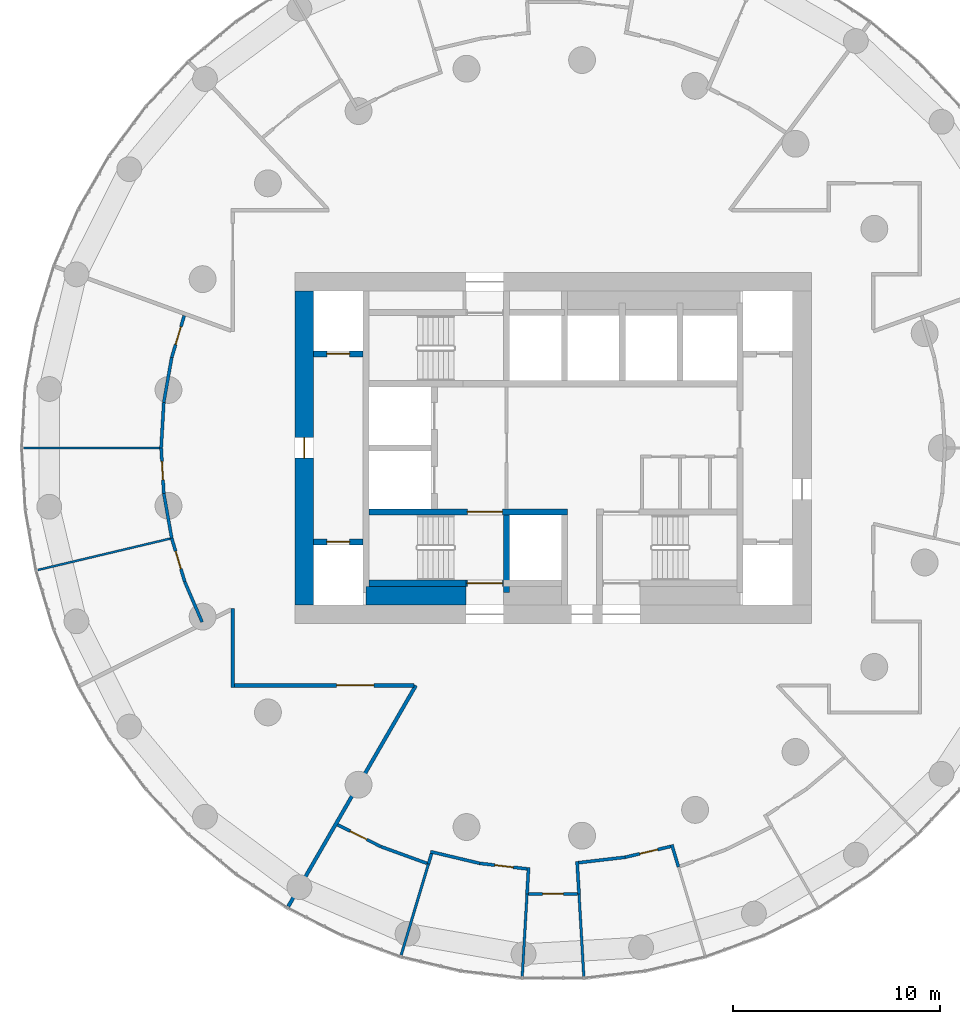
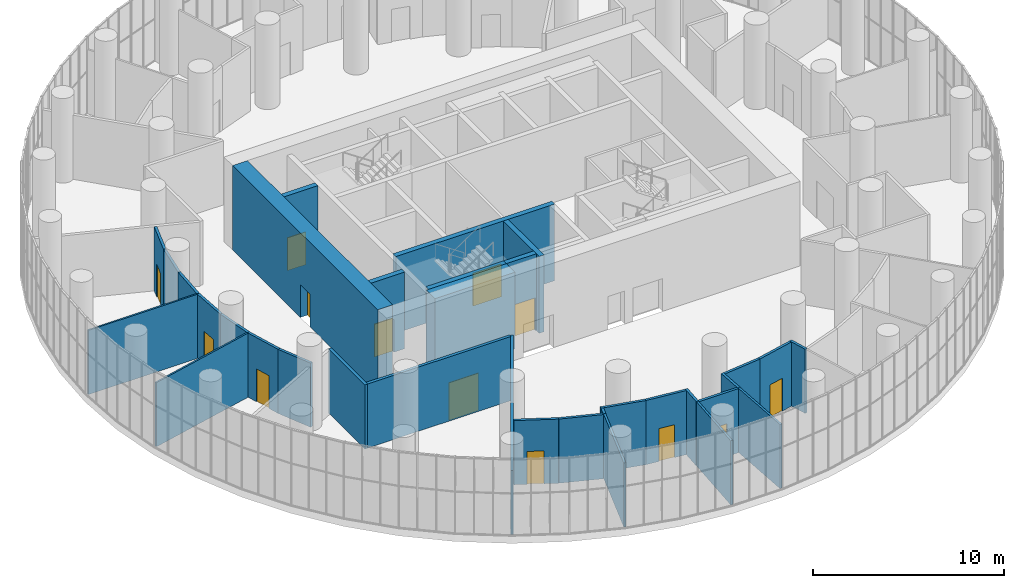
# One storey, part 16 of 21: 34 walls, 13 doors, 13 openings.
"""IFC4 building model written with IfcOpenShell, lengths in metres."""

import ifcopenshell
import ifcopenshell.guid

model = None  # the IFC model being written
_history = None  # IfcOwnerHistory: only IFC2X3 demands one
_inside = {}  # id of a spatial element -> (the spatial element, [elements in it])
_under = {}  # id of a project, library or spatial element -> (it, [spatial elements below it])
_declared = {}  # id of a project -> (the project, [libraries it declares])
_typed = {}  # id of a type object -> (the type object, [elements of that type])
_made_of = {}  # id of a material, layer set ... -> (it, [elements and type objects made of it])


def new_model(schema):
    """Start an empty IFC model of exactly this schema.

    Asked for "IFC4X3", IfcOpenShell would pick the latest addendum, in which some entities
    have other attributes; the version numbers below select the first issue.
    IFC2X3 requires an IfcOwnerHistory on every rooted entity: one is made here for all.
    """
    global model, _history
    if schema == "IFC4X3":
        model = ifcopenshell.file(schema_version=(4, 3, 0, 0))
    else:
        model = ifcopenshell.file(schema=schema)
    _inside.clear()
    _under.clear()
    _declared.clear()
    _typed.clear()
    _made_of.clear()
    _history = None
    if model.schema == "IFC2X3":
        org = make("IfcOrganization", Name="unknown")
        user = make(
            "IfcPersonAndOrganization",
            ThePerson=make("IfcPerson", FamilyName="unknown"),
            TheOrganization=org,
        )
        app = make(
            "IfcApplication",
            ApplicationDeveloper=org,
            Version="unknown",
            ApplicationFullName="unknown",
            ApplicationIdentifier="unknown",
        )
        _history = make(
            "IfcOwnerHistory",
            OwningUser=user,
            OwningApplication=app,
            ChangeAction="ADDED",
            CreationDate=0,
        )
    return model


def make(cls, **values):
    """One entity of the class cls with the attributes given. An attribute that is None is left unset."""
    return model.create_entity(
        cls, **{name: value for name, value in values.items() if value is not None}
    )


def rooted(cls, **values):
    """An entity with a GlobalId (a new one), such as an element, a storey or a relation."""
    return make(cls, GlobalId=ifcopenshell.guid.new(), OwnerHistory=_history, **values)


def si_unit(unit_type, name, prefix=None):
    """IfcSIUnit, for example si_unit("LENGTHUNIT", "METRE", prefix="MILLI")."""
    return make("IfcSIUnit", UnitType=unit_type, Prefix=prefix, Name=name)


def assignment(units):
    """IfcUnitAssignment: the units of a project."""
    return None if units is None else make("IfcUnitAssignment", Units=units)


def point(xyz):
    """IfcCartesianPoint."""
    return None if xyz is None else make("IfcCartesianPoint", Coordinates=xyz)


def direction(xyz):
    """IfcDirection."""
    return None if xyz is None else make("IfcDirection", DirectionRatios=xyz)


def frame(location, z_axis=None, x_axis=None):
    """IfcAxis2Placement3D, a coordinate frame: its origin and axes. An axis left out is left unset."""
    return make(
        "IfcAxis2Placement3D",
        Location=point(location),
        Axis=direction(z_axis),
        RefDirection=direction(x_axis),
    )


def frame_2d(location, x_axis=None):
    """IfcAxis2Placement2D, a coordinate frame in the plane: its origin and x axis."""
    return make(
        "IfcAxis2Placement2D", Location=point(location), RefDirection=direction(x_axis)
    )


def origin():
    """The frame at (0, 0, 0) with its axes left unset."""
    return frame((0.0, 0.0, 0.0))


def place(relative_to, where):
    """IfcLocalPlacement: puts the frame where relative to a parent placement (None: the world)."""
    return make(
        "IfcLocalPlacement", PlacementRelTo=relative_to, RelativePlacement=where
    )


def context(
    kind, dimensions, precision=None, world=None, true_north=None, identifier=None
):
    """IfcGeometricRepresentationContext, for example the 3D "Model" context."""
    return make(
        "IfcGeometricRepresentationContext",
        ContextIdentifier=identifier,
        ContextType=kind,
        CoordinateSpaceDimension=dimensions,
        Precision=precision,
        WorldCoordinateSystem=world,
        TrueNorth=true_north,
    )


def subcontext(parent, identifier, kind, view, scale=None):
    """IfcGeometricRepresentationSubContext, for example "Body" below "Model"."""
    return make(
        "IfcGeometricRepresentationSubContext",
        ContextIdentifier=identifier,
        ContextType=kind,
        ParentContext=parent,
        TargetScale=scale,
        TargetView=view,
    )


def project(units=None, contexts=None):
    """IfcProject with its units and contexts."""
    return rooted(
        "IfcProject",
        Name="project",
        RepresentationContexts=contexts,
        UnitsInContext=assignment(units),
    )


def spatial(cls, under=None, at=None, **own):
    """A site, building, storey or space (cls), placed at a placement, below another one or the project."""
    s = rooted(cls, ObjectPlacement=at, **own)
    if under is not None:
        _under.setdefault(under.id(), (under, []))[1].append(s)
    return s


def profile(cls, at=None, kind="AREA", **sizes):
    """A parametric profile (cls). Its sizes go by their IFC names, for example OverallWidth=200.0."""
    return make(cls, ProfileType=kind, Position=at, **sizes)


def rectangle(**sizes):
    """IfcRectangleProfileDef."""
    return profile("IfcRectangleProfileDef", **sizes)


def extrude(swept, where, along, depth):
    """IfcExtrudedAreaSolid: the profile swept, set in the frame where, extruded along a direction by depth."""
    return make(
        "IfcExtrudedAreaSolid",
        SweptArea=swept,
        Position=where,
        ExtrudedDirection=direction(along),
        Depth=depth,
    )


def shape(context_of_items, identifier, shape_type, items):
    """IfcShapeRepresentation: the items that make up one representation, for example the "Body"."""
    return make(
        "IfcShapeRepresentation",
        ContextOfItems=context_of_items,
        RepresentationIdentifier=identifier,
        RepresentationType=shape_type,
        Items=items,
    )


def material(Name=None, Category=None):
    """IfcMaterial."""
    return make("IfcMaterial", Name=Name, Category=Category)


def layer(
    of_material, thickness, ventilated=None, Name=None, Category=None, Priority=None
):
    """IfcMaterialLayer: one layer of a wall or slab, of a material (None: an air gap)."""
    return make(
        "IfcMaterialLayer",
        Material=of_material,
        LayerThickness=thickness,
        IsVentilated=ventilated,
        Name=Name,
        Category=Category,
        Priority=Priority,
    )


def layer_set(layers, Name=None):
    """IfcMaterialLayerSet."""
    return make("IfcMaterialLayerSet", MaterialLayers=layers, LayerSetName=Name)


def made_of(thing, what):
    """Note that an element or type object is made of a material, layer set ...; save() writes the relation."""
    if what is not None:
        _made_of.setdefault(what.id(), (what, []))[1].append(thing)
    return thing


def type_object(cls, material=None, **own):
    """A type object (cls), such as IfcWallType, which elements share."""
    return made_of(rooted(cls, **own), material)


def element(
    cls,
    number,
    at=None,
    inside=None,
    cuts=None,
    type_object=None,
    material=None,
    context=None,
    identifier="Body",
    shape_type=None,
    held_by="IfcProductDefinitionShape",
    body=None,
    shapes=None,
    **own,
):
    """One element of the class cls, such as IfcWall. Its Tag is "e" and its number.

    at: its placement. inside: the storey or other place that contains it. cuts: it is an
    opening in that element (IfcRelVoidsElement). A single representation is given by context,
    identifier, shape_type and body (its items); several are given by shapes. held_by: the class
    of the entity that holds the representations. save() writes the other relations.
    """
    e = rooted(cls, Tag="e%d" % number, ObjectPlacement=at, **own)
    if body is not None:
        shapes = [shape(context, identifier, shape_type, body)]
    if shapes is not None:
        e.Representation = make(held_by, Representations=shapes)
    if inside is not None:
        _inside.setdefault(inside.id(), (inside, []))[1].append(e)
    if cuts is not None:
        rooted(
            "IfcRelVoidsElement", RelatingBuildingElement=cuts, RelatedOpeningElement=e
        )
    if type_object is not None:
        _typed.setdefault(type_object.id(), (type_object, []))[1].append(e)
    return made_of(e, material)


def fill(opening, filler):
    """IfcRelFillsElement: the door or window that sits in an opening."""
    return rooted(
        "IfcRelFillsElement",
        RelatingOpeningElement=opening,
        RelatedBuildingElement=filler,
    )


def aggregate(whole, parts):
    """IfcRelAggregates: a whole, such as a stair, and the parts it consists of."""
    return rooted("IfcRelAggregates", RelatingObject=whole, RelatedObjects=parts)


def save(model, path):
    """Write the relations noted so far, then the file.

    IfcRelAggregates (storeys below a building ...), IfcRelContainedInSpatialStructure (elements
    in a storey), IfcRelDefinesByType, IfcRelAssociatesMaterial and IfcRelDeclares: one each for
    every whole, place, type object, material and project.
    """
    for whole, parts in _under.values():
        aggregate(whole, parts)
    for where, things in _inside.values():
        rooted(
            "IfcRelContainedInSpatialStructure",
            RelatedElements=things,
            RelatingStructure=where,
        )
    for kind, things in _typed.values():
        rooted("IfcRelDefinesByType", RelatedObjects=things, RelatingType=kind)
    for what, things in _made_of.values():
        rooted("IfcRelAssociatesMaterial", RelatedObjects=things, RelatingMaterial=what)
    for by, libraries in _declared.values():
        rooted("IfcRelDeclares", RelatingContext=by, RelatedDefinitions=libraries)
    model.write(path)


model = new_model("IFC4")

# Units and contexts
model_context = context("Model", 3, precision=1e-05, world=origin(), true_north=direction((0.0, 1.0)))
body_context = subcontext(model_context, "Body", "Model", "MODEL_VIEW")
ifc_project = project(units=[si_unit("LENGTHUNIT", "METRE"), si_unit("AREAUNIT", "SQUARE_METRE"), si_unit("VOLUMEUNIT", "CUBIC_METRE"), si_unit("PLANEANGLEUNIT", "RADIAN"), si_unit("MASSUNIT", "GRAM", prefix="KILO")], contexts=[model_context])

# Site, building, storey
site_placement = place(None, origin())
site = spatial("IfcSite", under=ifc_project, at=site_placement, CompositionType="ELEMENT")
building_placement = place(site_placement, origin())
building = spatial("IfcBuilding", under=site, at=building_placement, Name="Tracery Tower", CompositionType="ELEMENT")
storey_placement = place(building_placement, frame((0.0, 0.0, 219.60009765625)))
storey = spatial("IfcBuildingStorey", under=building, at=storey_placement, Name="L57", CompositionType="ELEMENT", Elevation=219.60009765625)

# Wall, opening, door
ifc_material_1 = material(Name="Plasterboard on steel studs", Category="steel")
ifc_layer_1 = layer(ifc_material_1, 0.175048828125)
ifc_layer_set_1 = layer_set([ifc_layer_1], Name="Compartment partition 175")
wall_type_1 = type_object("IfcWallType", Name="Compartment partition 175", PredefinedType="PARTITIONING", material=ifc_layer_set_1)
wall_1_placement = place(storey_placement, frame((-6.740478515625, -11.5, 0.0), z_axis=(0.0, 0.0, 1.0), x_axis=(-1.0, 0.0, 0.0)))
wall_1 = element("IfcWall", 1, at=wall_1_placement, inside=storey, type_object=wall_type_1, Name="Compartment partition 175", PredefinedType="PARTITIONING", context=body_context, shape_type="SweptSolid", body=[
    extrude(rectangle(XDim=8.672119140625, YDim=0.175048828125, at=frame_2d((4.3359375, 0.0))), origin(), (0.0, 0.0, 1.0), 4.099853515625),
])
opening_1_placement = place(wall_1_placement, frame((1.92919921875, 0.0, 0.0)))
opening_1 = element("IfcOpeningElement", 2, at=opening_1_placement, cuts=wall_1, Name="Opening SB-L57-14", PredefinedType="OPENING", context=body_context, shape_type="SweptSolid", body=[
    extrude(rectangle(XDim=1.800048828125, YDim=2.39990234375, at=frame_2d((0.89990234375, 1.199951171875))), frame((0.0, 0.08740234375, 0.0), z_axis=(0.0, -1.0, 0.0), x_axis=(1.0, 0.0, 0.0)), (0.0, 0.0, 1.0), 0.175048828125),
])
ifc_material_2 = material(Name="Glazed aluminium door", Category="aluminium")
door_type_1 = type_object("IfcDoorType", Name="Hall double door 1800", OperationType="DOUBLE_DOOR_SINGLE_SWING", PredefinedType="DOOR", material=ifc_material_2)
door_1_placement = place(opening_1_placement, origin())
door_1 = element("IfcDoor", 3, at=door_1_placement, inside=storey, type_object=door_type_1, Name="Hall double door 1800", OperationType="DOUBLE_DOOR_SINGLE_SWING", OverallHeight=2.39990234375, OverallWidth=1.800048828125, PredefinedType="DOOR", context=body_context, shape_type="SweptSolid", body=[
    extrude(rectangle(XDim=1.800048828125, YDim=2.39990234375, at=frame_2d((0.89990234375, 1.199951171875))), frame((0.0, 0.02490234375, 0.0), z_axis=(0.0, -1.0, 0.0), x_axis=(1.0, 0.0, 0.0)), (0.0, 0.0, 1.0), 0.050048828125),
])
fill(opening_1, door_1)

# Walls
wall_2_placement = place(storey_placement, frame((-15.5, -7.784423828125, 0.0), z_axis=(0.0, 0.0, 1.0), x_axis=(0.0, -1.0, 0.0)))
element("IfcWall", 4, at=wall_2_placement, inside=storey, type_object=wall_type_1, Name="Compartment partition 175", PredefinedType="PARTITIONING", context=body_context, shape_type="SweptSolid", body=[
    extrude(rectangle(XDim=3.802978515625, YDim=0.175048828125, at=frame_2d((1.9013671875, 0.0))), origin(), (0.0, 0.0, 1.0), 4.099853515625),
])
wall_3_placement = place(storey_placement, frame((-12.813720703125, -22.194091796875, 0.0), z_axis=(0.0, 0.0, 1.0), x_axis=(0.500004836318, 0.866022611517, 0.0)))
element("IfcWall", 5, at=wall_3_placement, inside=storey, type_object=wall_type_1, Name="Compartment partition 175", PredefinedType="PARTITIONING", context=body_context, shape_type="SweptSolid", body=[
    extrude(rectangle(XDim=12.3486328125, YDim=0.175048828125, at=frame_2d((6.17431640625, 0.0))), origin(), (0.0, 0.0, 1.0), 4.099853515625),
])
ifc_material_3 = material(Name="Concrete C50/60", Category="concrete")
ifc_layer_2 = layer(ifc_material_3, 0.89990234375)
ifc_layer_set_2 = layer_set([ifc_layer_2], Name="Core strip wall 900 C50")
wall_type_2 = type_object("IfcWallType", Name="Core strip wall 900 C50", PredefinedType="SOLIDWALL", material=ifc_layer_set_2)
wall_4_placement = place(storey_placement, frame((-9.050048828125, -7.14990234375, 0.0), z_axis=(0.0, 0.0, 1.0), x_axis=(1.0, 0.0, 0.0)))
element("IfcWall", 6, at=wall_4_placement, inside=storey, type_object=wall_type_2, Name="L57 F thick S W", PredefinedType="SOLIDWALL", context=body_context, shape_type="SweptSolid", body=[
    extrude(rectangle(XDim=4.85009765625, YDim=0.89990234375, at=frame_2d((2.425048828125, 0.0))), origin(), (0.0, 0.0, 1.0), 4.89990234375),
])

# Wall, opening, door
ifc_material_4 = material(Name="Concrete C50/60", Category="concrete")
ifc_layer_3 = layer(ifc_material_4, 0.89990234375)
ifc_layer_set_3 = layer_set([ifc_layer_3], Name="Core wall 900 C50")
wall_type_3 = type_object("IfcWallType", Name="Core wall 900 C50", PredefinedType="SOLIDWALL", material=ifc_layer_set_3)
wall_5_placement = place(storey_placement, frame((-12.050048828125, -7.60009765625, 0.0), z_axis=(0.0, 0.0, 1.0), x_axis=(0.0, 1.0, 0.0)))
wall_5 = element("IfcWall", 7, at=wall_5_placement, inside=storey, type_object=wall_type_3, Name="L57 outer W", PredefinedType="SOLIDWALL", context=body_context, shape_type="SweptSolid", body=[
    extrude(rectangle(XDim=15.2001953125, YDim=0.89990234375, at=frame_2d((7.60009765625, 0.0))), origin(), (0.0, 0.0, 1.0), 5.39990234375),
])
opening_2_placement = place(wall_5_placement, frame((7.10009765625, 0.0, 0.0)))
opening_2 = element("IfcOpeningElement", 8, at=opening_2_placement, cuts=wall_5, Name="Opening KD18", PredefinedType="OPENING", context=body_context, shape_type="SweptSolid", body=[
    extrude(rectangle(XDim=1.0, YDim=2.10009765625, at=frame_2d((0.5, 1.050048828125))), frame((0.0, 0.449951171875, 0.0), z_axis=(0.0, -1.0, 0.0), x_axis=(1.0, 0.0, 0.0)), (0.0, 0.0, 1.0), 0.89990234375),
])
ifc_material_5 = material(Name="Steel fire door", Category="steel")
door_type_2 = type_object("IfcDoorType", Name="Core exit door 1000", OperationType="NOTDEFINED", PredefinedType="DOOR", material=ifc_material_5)
door_2_placement = place(opening_2_placement, origin())
door_2 = element("IfcDoor", 9, at=door_2_placement, inside=storey, type_object=door_type_2, Name="Core exit door", OperationType="DOUBLE_DOOR_SINGLE_SWING", OverallHeight=2.10009765625, OverallWidth=1.0, PredefinedType="DOOR", context=body_context, shape_type="SweptSolid", body=[
    extrude(rectangle(XDim=1.0, YDim=2.10009765625, at=frame_2d((0.5, 1.050048828125))), frame((0.0, 0.02490234375, 0.0), z_axis=(0.0, -1.0, 0.0), x_axis=(1.0, 0.0, 0.0)), (0.0, 0.0, 1.0), 0.050048828125),
])
fill(opening_2, door_2)

ifc_material_6 = material(Name="Plasterboard on steel studs", Category="steel")
ifc_layer_4 = layer(ifc_material_6, 0.14990234375)
ifc_layer_set_4 = layer_set([ifc_layer_4], Name="Corridor partition 150")
wall_type_4 = type_object("IfcWallType", Name="Corridor partition 150", PredefinedType="PARTITIONING", material=ifc_layer_set_4)
wall_6_placement = place(storey_placement, frame((-18.837890625, -2.201904296875, 0.0), z_axis=(0.0, 0.0, 1.0), x_axis=(-0.058112072782, 0.998310065559, 0.0)))
wall_6 = element("IfcWall", 10, at=wall_6_placement, inside=storey, type_object=wall_type_4, Name="Corridor partition 150", PredefinedType="PARTITIONING", context=body_context, shape_type="SweptSolid", body=[
    extrude(rectangle(XDim=2.20556640625, YDim=0.14990234375, at=frame_2d((1.102783203125, 0.0))), origin(), (0.0, 0.0, 1.0), 4.099853515625),
])
opening_3_placement = place(wall_6_placement, frame((0.65283203125, 0.0, 0.0)))
opening_3 = element("IfcOpeningElement", 11, at=opening_3_placement, cuts=wall_6, Name="Opening SB-L57-12", PredefinedType="OPENING", context=body_context, shape_type="SweptSolid", body=[
    extrude(rectangle(XDim=0.89990234375, YDim=2.10009765625, at=frame_2d((0.449951171875, 1.050048828125))), frame((0.0, 0.074951171875, 0.0), z_axis=(0.0, -1.0, 0.0), x_axis=(1.0, 0.0, 0.0)), (0.0, 0.0, 1.0), 0.14990234375),
])
ifc_material_7 = material(Name="Timber door leaf", Category="wood")
door_type_3 = type_object("IfcDoorType", Name="Room door 900", OperationType="NOTDEFINED", PredefinedType="DOOR", material=ifc_material_7)
door_3_placement = place(opening_3_placement, origin())
door_3 = element("IfcDoor", 12, at=door_3_placement, inside=storey, type_object=door_type_3, Name="Room door 900", OperationType="SINGLE_SWING_RIGHT", OverallHeight=2.10009765625, OverallWidth=0.89990234375, PredefinedType="DOOR", context=body_context, shape_type="SweptSolid", body=[
    extrude(rectangle(XDim=0.89990234375, YDim=2.10009765625, at=frame_2d((0.449951171875, 1.050048828125))), frame((0.0, 0.02490234375, 0.0), z_axis=(0.0, -1.0, 0.0), x_axis=(1.0, 0.0, 0.0)), (0.0, 0.0, 1.0), 0.050048828125),
])
fill(opening_3, door_3)

# Walls
wall_7_placement = place(storey_placement, frame((-18.837890625, -2.201904296875, 0.0), z_axis=(0.0, 0.0, 1.0), x_axis=(0.173690605338, -0.984800270927, 0.0)))
element("IfcWall", 13, at=wall_7_placement, inside=storey, type_object=wall_type_4, Name="Corridor partition 150", PredefinedType="PARTITIONING", context=body_context, shape_type="SweptSolid", body=[
    extrude(rectangle(XDim=2.205322265625, YDim=0.14990234375, at=frame_2d((1.1025390625, 0.0))), origin(), (0.0, 0.0, 1.0), 4.099853515625),
])
wall_8_placement = place(storey_placement, frame((-18.837890625, 2.201904296875, 0.0), z_axis=(0.0, 0.0, 1.0), x_axis=(-0.058112072782, -0.998310065559, 0.0)))
element("IfcWall", 14, at=wall_8_placement, inside=storey, type_object=wall_type_4, Name="Corridor partition 150", PredefinedType="PARTITIONING", context=body_context, shape_type="SweptSolid", body=[
    extrude(rectangle(XDim=2.20556640625, YDim=0.14990234375, at=frame_2d((1.102783203125, 0.0))), origin(), (0.0, 0.0, 1.0), 4.099853515625),
])

# Wall, opening, door
wall_9_placement = place(storey_placement, frame((-17.822265625, -6.48681640625, 0.0), z_axis=(0.0, 0.0, 1.0), x_axis=(-0.286789325677, 0.957993675698, 0.0)))
wall_9 = element("IfcWall", 15, at=wall_9_placement, inside=storey, type_object=wall_type_4, Name="Corridor partition 150", PredefinedType="PARTITIONING", context=body_context, shape_type="SweptSolid", body=[
    extrude(rectangle(XDim=2.205810546875, YDim=0.14990234375, at=frame_2d((1.10302734375, 0.0))), origin(), (0.0, 0.0, 1.0), 4.099853515625),
])
opening_4_placement = place(wall_9_placement, frame((0.65283203125, 0.0, 0.0)))
opening_4 = element("IfcOpeningElement", 16, at=opening_4_placement, cuts=wall_9, Name="Opening SB-L57-13", PredefinedType="OPENING", context=body_context, shape_type="SweptSolid", body=[
    extrude(rectangle(XDim=0.89990234375, YDim=2.10009765625, at=frame_2d((0.449951171875, 1.050048828125))), frame((0.0, 0.074951171875, 0.0), z_axis=(0.0, -1.0, 0.0), x_axis=(1.0, 0.0, 0.0)), (0.0, 0.0, 1.0), 0.14990234375),
])
door_4_placement = place(opening_4_placement, origin())
door_4 = element("IfcDoor", 17, at=door_4_placement, inside=storey, type_object=door_type_3, Name="Room door 900", OperationType="SINGLE_SWING_RIGHT", OverallHeight=2.10009765625, OverallWidth=0.89990234375, PredefinedType="DOOR", context=body_context, shape_type="SweptSolid", body=[
    extrude(rectangle(XDim=0.89990234375, YDim=2.10009765625, at=frame_2d((0.449951171875, 1.050048828125))), frame((0.0, 0.02490234375, 0.0), z_axis=(0.0, -1.0, 0.0), x_axis=(1.0, 0.0, 0.0)), (0.0, 0.0, 1.0), 0.050048828125),
])
fill(opening_4, door_4)

# Walls
wall_10_placement = place(storey_placement, frame((-18.454833984375, 4.373779296875, 0.0), z_axis=(0.0, 0.0, 1.0), x_axis=(-0.173690605338, -0.984800270927, 0.0)))
element("IfcWall", 18, at=wall_10_placement, inside=storey, type_object=wall_type_4, Name="Corridor partition 150", PredefinedType="PARTITIONING", context=body_context, shape_type="SweptSolid", body=[
    extrude(rectangle(XDim=2.205322265625, YDim=0.14990234375, at=frame_2d((1.1025390625, 0.0))), origin(), (0.0, 0.0, 1.0), 4.099853515625),
])
wall_11_placement = place(storey_placement, frame((-17.822265625, -6.48681640625, 0.0), z_axis=(0.0, 0.0, 1.0), x_axis=(0.396049140971, -0.918229316639, 0.0)))
element("IfcWall", 19, at=wall_11_placement, inside=storey, type_object=wall_type_4, Name="Corridor partition 150", PredefinedType="PARTITIONING", context=body_context, shape_type="SweptSolid", body=[
    extrude(rectangle(XDim=2.11572265625, YDim=0.14990234375, at=frame_2d((1.057861328125, 0.0))), origin(), (0.0, 0.0, 1.0), 4.099853515625),
])

# Wall, opening, door
wall_12_placement = place(storey_placement, frame((-18.454833984375, 4.373779296875, 0.0), z_axis=(0.0, 0.0, 1.0), x_axis=(0.286754978778, 0.95800395727, 0.0)))
wall_12 = element("IfcWall", 20, at=wall_12_placement, inside=storey, type_object=wall_type_4, Name="Corridor partition 150", PredefinedType="PARTITIONING", context=body_context, shape_type="SweptSolid", body=[
    extrude(rectangle(XDim=2.11572265625, YDim=0.14990234375, at=frame_2d((1.057861328125, 0.0))), origin(), (0.0, 0.0, 1.0), 4.099853515625),
])
opening_5_placement = place(wall_12_placement, frame((0.65283203125, 0.0, 0.0)))
opening_5 = element("IfcOpeningElement", 21, at=opening_5_placement, cuts=wall_12, Name="Opening SB-L57-11", PredefinedType="OPENING", context=body_context, shape_type="SweptSolid", body=[
    extrude(rectangle(XDim=0.89990234375, YDim=2.10009765625, at=frame_2d((0.449951171875, 1.050048828125))), frame((0.0, 0.074951171875, 0.0), z_axis=(0.0, -1.0, 0.0), x_axis=(1.0, 0.0, 0.0)), (0.0, 0.0, 1.0), 0.14990234375),
])
door_5_placement = place(opening_5_placement, origin())
door_5 = element("IfcDoor", 22, at=door_5_placement, inside=storey, type_object=door_type_3, Name="Room door 900", OperationType="SINGLE_SWING_RIGHT", OverallHeight=2.10009765625, OverallWidth=0.89990234375, PredefinedType="DOOR", context=body_context, shape_type="SweptSolid", body=[
    extrude(rectangle(XDim=0.89990234375, YDim=2.10009765625, at=frame_2d((0.449951171875, 1.050048828125))), frame((0.0, 0.02490234375, 0.0), z_axis=(0.0, -1.0, 0.0), x_axis=(1.0, 0.0, 0.0)), (0.0, 0.0, 1.0), 0.050048828125),
])
fill(opening_5, door_5)

wall_13_placement = place(storey_placement, frame((-8.325439453125, -19.300537109375, 0.0), z_axis=(0.0, 0.0, 1.0), x_axis=(-0.893637725356, 0.448789054925, 0.0)))
wall_13 = element("IfcWall", 23, at=wall_13_placement, inside=storey, type_object=wall_type_4, Name="Corridor partition 150", PredefinedType="PARTITIONING", context=body_context, shape_type="SweptSolid", body=[
    extrude(rectangle(XDim=2.3544921875, YDim=0.14990234375, at=frame_2d((1.17724609375, 0.0))), origin(), (0.0, 0.0, 1.0), 4.099853515625),
])
opening_6_placement = place(wall_13_placement, frame((0.772216796875, 0.0, 0.0)))
opening_6 = element("IfcOpeningElement", 24, at=opening_6_placement, cuts=wall_13, Name="Opening SB-L57-15", PredefinedType="OPENING", context=body_context, shape_type="SweptSolid", body=[
    extrude(rectangle(XDim=0.89990234375, YDim=2.10009765625, at=frame_2d((0.449951171875, 1.050048828125))), frame((0.0, 0.074951171875, 0.0), z_axis=(0.0, -1.0, 0.0), x_axis=(1.0, 0.0, 0.0)), (0.0, 0.0, 1.0), 0.14990234375),
])
ifc_material_8 = material(Name="Timber door leaf", Category="wood")
door_type_4 = type_object("IfcDoorType", Name="Toilet door 900", OperationType="NOTDEFINED", PredefinedType="DOOR", material=ifc_material_8)
door_6_placement = place(opening_6_placement, origin())
door_6 = element("IfcDoor", 25, at=door_6_placement, inside=storey, type_object=door_type_4, Name="Toilet door 900", OperationType="SINGLE_SWING_RIGHT", OverallHeight=2.10009765625, OverallWidth=0.89990234375, PredefinedType="DOOR", context=body_context, shape_type="SweptSolid", body=[
    extrude(rectangle(XDim=0.89990234375, YDim=2.10009765625, at=frame_2d((0.449951171875, 1.050048828125))), frame((0.0, 0.02490234375, 0.0), z_axis=(0.0, -1.0, 0.0), x_axis=(1.0, 0.0, 0.0)), (0.0, 0.0, 1.0), 0.050048828125),
])
fill(opening_6, door_6)

# Walls
wall_14_placement = place(storey_placement, frame((-8.325439453125, -19.300537109375, 0.0), z_axis=(0.0, 0.0, 1.0), x_axis=(0.939694096766, -0.342016088076, 0.0)))
element("IfcWall", 26, at=wall_14_placement, inside=storey, type_object=wall_type_4, Name="Corridor partition 150", PredefinedType="PARTITIONING", context=body_context, shape_type="SweptSolid", body=[
    extrude(rectangle(XDim=2.369140625, YDim=0.14990234375, at=frame_2d((1.1845703125, 0.0))), origin(), (0.0, 0.0, 1.0), 4.099853515625),
])
wall_15_placement = place(storey_placement, frame((-6.028564453125, -20.13671875, 0.0), z_axis=(0.0, 0.0, 1.0), x_axis=(0.286709384519, 0.958017603611, 0.0)))
element("IfcWall", 27, at=wall_15_placement, inside=storey, type_object=wall_type_4, Name="Corridor partition 150", PredefinedType="PARTITIONING", context=body_context, shape_type="SweptSolid", body=[
    extrude(rectangle(XDim=0.526123046875, YDim=0.14990234375, at=frame_2d((0.26318359375, 0.0))), origin(), (0.0, 0.0, 1.0), 4.099853515625),
])
wall_16_placement = place(storey_placement, frame((-5.92919921875, -19.54345703125, 0.0), z_axis=(0.0, 0.0, 1.0), x_axis=(0.973042041456, -0.230627807429, 0.0)))
element("IfcWall", 28, at=wall_16_placement, inside=storey, type_object=wall_type_4, Name="Corridor partition 150", PredefinedType="PARTITIONING", context=body_context, shape_type="SweptSolid", body=[
    extrude(rectangle(XDim=2.449462890625, YDim=0.14990234375, at=frame_2d((1.224609375, 0.0))), origin(), (0.0, 0.0, 1.0), 4.099853515625),
])

# Wall, opening, door
wall_17_placement = place(storey_placement, frame((-1.26171875, -20.37548828125, 0.0), z_axis=(0.0, 0.0, 1.0), x_axis=(-0.993231533101, 0.116151287783, 0.0)))
wall_17 = element("IfcWall", 29, at=wall_17_placement, inside=storey, type_object=wall_type_4, Name="Corridor partition 150", PredefinedType="PARTITIONING", context=body_context, shape_type="SweptSolid", body=[
    extrude(rectangle(XDim=2.299560546875, YDim=0.14990234375, at=frame_2d((1.14990234375, 0.0))), origin(), (0.0, 0.0, 1.0), 4.099853515625),
])
opening_7_placement = place(wall_17_placement, frame((0.662353515625, 0.0, 0.0)))
opening_7 = element("IfcOpeningElement", 30, at=opening_7_placement, cuts=wall_17, Name="Opening SB-L57-16", PredefinedType="OPENING", context=body_context, shape_type="SweptSolid", body=[
    extrude(rectangle(XDim=0.89990234375, YDim=2.10009765625, at=frame_2d((0.449951171875, 1.050048828125))), frame((0.0, 0.074951171875, 0.0), z_axis=(0.0, -1.0, 0.0), x_axis=(1.0, 0.0, 0.0)), (0.0, 0.0, 1.0), 0.14990234375),
])
door_7_placement = place(opening_7_placement, origin())
door_7 = element("IfcDoor", 31, at=door_7_placement, inside=storey, type_object=door_type_4, Name="Toilet door 900", OperationType="SINGLE_SWING_RIGHT", OverallHeight=2.10009765625, OverallWidth=0.89990234375, PredefinedType="DOOR", context=body_context, shape_type="SweptSolid", body=[
    extrude(rectangle(XDim=0.89990234375, YDim=2.10009765625, at=frame_2d((0.449951171875, 1.050048828125))), frame((0.0, 0.02490234375, 0.0), z_axis=(0.0, -1.0, 0.0), x_axis=(1.0, 0.0, 0.0)), (0.0, 0.0, 1.0), 0.050048828125),
])
fill(opening_7, door_7)

# Wall
wall_18_placement = place(storey_placement, frame((-1.257080078125, -21.583984375, 0.0), z_axis=(0.0, 0.0, 1.0), x_axis=(0.058116847078, 0.998309787634, 0.0)))
element("IfcWall", 32, at=wall_18_placement, inside=storey, type_object=wall_type_4, Name="Corridor partition 150", PredefinedType="PARTITIONING", context=body_context, shape_type="SweptSolid", body=[
    extrude(rectangle(XDim=1.277099609375, YDim=0.14990234375, at=frame_2d((0.638671875, 0.0))), origin(), (0.0, 0.0, 1.0), 4.099853515625),
])

# Wall, opening, door
wall_19_placement = place(storey_placement, frame((1.181884765625, -21.583984375, 0.0), z_axis=(0.0, 0.0, 1.0), x_axis=(-1.0, 0.0, 0.0)))
wall_19 = element("IfcWall", 33, at=wall_19_placement, inside=storey, type_object=wall_type_4, Name="Corridor partition 150", PredefinedType="PARTITIONING", context=body_context, shape_type="SweptSolid", body=[
    extrude(rectangle(XDim=2.36376953125, YDim=0.14990234375, at=frame_2d((1.181884765625, 0.0))), origin(), (0.0, 0.0, 1.0), 4.099853515625),
])
opening_8_placement = place(wall_19_placement, frame((0.681884765625, 0.0, 0.0)))
opening_8 = element("IfcOpeningElement", 34, at=opening_8_placement, cuts=wall_19, Name="Opening SB-L57-17", PredefinedType="OPENING", context=body_context, shape_type="SweptSolid", body=[
    extrude(rectangle(XDim=1.0, YDim=2.10009765625, at=frame_2d((0.5, 1.050048828125))), frame((0.0, 0.074951171875, 0.0), z_axis=(0.0, -1.0, 0.0), x_axis=(1.0, 0.0, 0.0)), (0.0, 0.0, 1.0), 0.14990234375),
])
ifc_material_9 = material(Name="Timber door leaf", Category="wood")
door_type_5 = type_object("IfcDoorType", Name="Accessible toilet door 1000", OperationType="NOTDEFINED", PredefinedType="DOOR", material=ifc_material_9)
door_8_placement = place(opening_8_placement, origin())
door_8 = element("IfcDoor", 35, at=door_8_placement, inside=storey, type_object=door_type_5, Name="Accessible toilet door 1000", OperationType="SINGLE_SWING_RIGHT", OverallHeight=2.10009765625, OverallWidth=1.0, PredefinedType="DOOR", context=body_context, shape_type="SweptSolid", body=[
    extrude(rectangle(XDim=1.0, YDim=2.10009765625, at=frame_2d((0.5, 1.050048828125))), frame((0.0, 0.02490234375, 0.0), z_axis=(0.0, -1.0, 0.0), x_axis=(1.0, 0.0, 0.0)), (0.0, 0.0, 1.0), 0.050048828125),
])
fill(opening_8, door_8)

# Walls
wall_20_placement = place(storey_placement, frame((1.244384765625, -20.075439453125, 0.0), z_axis=(0.0, 0.0, 1.0), x_axis=(0.993234980378, 0.116121805674, 0.0)))
element("IfcWall", 36, at=wall_20_placement, inside=storey, type_object=wall_type_4, Name="Corridor partition 150", PredefinedType="PARTITIONING", context=body_context, shape_type="SweptSolid", body=[
    extrude(rectangle(XDim=2.264404296875, YDim=0.14990234375, at=frame_2d((1.13232421875, 0.0))), origin(), (0.0, 0.0, 1.0), 4.099853515625),
])
wall_21_placement = place(storey_placement, frame((1.257080078125, -21.583984375, 0.0), z_axis=(0.0, 0.0, 1.0), x_axis=(-0.058195775398, 0.998305189672, 0.0)))
element("IfcWall", 37, at=wall_21_placement, inside=storey, type_object=wall_type_4, Name="Corridor partition 150", PredefinedType="PARTITIONING", context=body_context, shape_type="SweptSolid", body=[
    extrude(rectangle(XDim=1.577392578125, YDim=0.14990234375, at=frame_2d((0.78857421875, 0.0))), origin(), (0.0, 0.0, 1.0), 4.099853515625),
])

# Wall, opening, door
wall_22_placement = place(storey_placement, frame((5.697021484375, -19.290283203125, 0.0), z_axis=(0.0, 0.0, 1.0), x_axis=(-0.973049740031, -0.230595323945, 0.0)))
wall_22 = element("IfcWall", 38, at=wall_22_placement, inside=storey, type_object=wall_type_4, Name="Corridor partition 150", PredefinedType="PARTITIONING", context=body_context, shape_type="SweptSolid", body=[
    extrude(rectangle(XDim=2.2646484375, YDim=0.14990234375, at=frame_2d((1.13232421875, 0.0))), origin(), (0.0, 0.0, 1.0), 4.099853515625),
])
opening_9_placement = place(wall_22_placement, frame((0.644775390625, 0.0, 0.0)))
opening_9 = element("IfcOpeningElement", 39, at=opening_9_placement, cuts=wall_22, Name="Opening SB-L57-18", PredefinedType="OPENING", context=body_context, shape_type="SweptSolid", body=[
    extrude(rectangle(XDim=0.89990234375, YDim=2.10009765625, at=frame_2d((0.449951171875, 1.050048828125))), frame((0.0, 0.074951171875, 0.0), z_axis=(0.0, -1.0, 0.0), x_axis=(1.0, 0.0, 0.0)), (0.0, 0.0, 1.0), 0.14990234375),
])
ifc_material_10 = material(Name="Steel fire door", Category="steel")
door_type_6 = type_object("IfcDoorType", Name="Store door 900", OperationType="NOTDEFINED", PredefinedType="DOOR", material=ifc_material_10)
door_9_placement = place(opening_9_placement, origin())
door_9 = element("IfcDoor", 40, at=door_9_placement, inside=storey, type_object=door_type_6, Name="Store door 900", OperationType="SINGLE_SWING_RIGHT", OverallHeight=2.10009765625, OverallWidth=0.89990234375, PredefinedType="DOOR", context=body_context, shape_type="SweptSolid", body=[
    extrude(rectangle(XDim=0.89990234375, YDim=2.10009765625, at=frame_2d((0.449951171875, 1.050048828125))), frame((0.0, 0.02490234375, 0.0), z_axis=(0.0, -1.0, 0.0), x_axis=(1.0, 0.0, 0.0)), (0.0, 0.0, 1.0), 0.050048828125),
])
fill(opening_9, door_9)

# Wall
wall_23_placement = place(storey_placement, frame((6.071533203125, -20.280517578125, 0.0), z_axis=(0.0, 0.0, 1.0), x_axis=(-0.286890628095, 0.957963343511, 0.0)))
element("IfcWall", 41, at=wall_23_placement, inside=storey, type_object=wall_type_4, Name="Corridor partition 150", PredefinedType="PARTITIONING", context=body_context, shape_type="SweptSolid", body=[
    extrude(rectangle(XDim=1.126708984375, YDim=0.14990234375, at=frame_2d((0.5634765625, 0.0))), origin(), (0.0, 0.0, 1.0), 4.099853515625),
])

# Wall, opening, door
ifc_material_11 = material(Name="Concrete C50/60", Category="concrete")
ifc_layer_5 = layer(ifc_material_11, 0.300048828125)
ifc_layer_set_5 = layer_set([ifc_layer_5], Name="Shaft wall 300 C50")
wall_type_5 = type_object("IfcWallType", Name="Shaft wall 300 C50", PredefinedType="SOLIDWALL", material=ifc_layer_set_5)
wall_24_placement = place(storey_placement, frame((-11.60009765625, -4.550048828125, 0.0), z_axis=(0.0, 0.0, 1.0), x_axis=(1.0, 0.0, 0.0)))
wall_24 = element("IfcWall", 42, at=wall_24_placement, inside=storey, type_object=wall_type_5, Name="L57 MR W -4.55", PredefinedType="SOLIDWALL", context=body_context, shape_type="SweptSolid", body=[
    extrude(rectangle(XDim=2.400146484375, YDim=0.300048828125, at=frame_2d((1.2001953125, 0.0))), origin(), (0.0, 0.0, 1.0), 4.89990234375),
])
opening_10_placement = place(wall_24_placement, frame((0.64990234375, 0.0, 0.0)))
opening_10 = element("IfcOpeningElement", 43, at=opening_10_placement, cuts=wall_24, Name="Opening KD50", PredefinedType="OPENING", context=body_context, shape_type="SweptSolid", body=[
    extrude(rectangle(XDim=1.10009765625, YDim=2.10009765625, at=frame_2d((0.550048828125, 1.050048828125))), frame((0.0, 0.14990234375, 0.0), z_axis=(0.0, -1.0, 0.0), x_axis=(1.0, 0.0, 0.0)), (0.0, 0.0, 1.0), 0.300048828125),
])
ifc_material_12 = material(Name="Steel fire door", Category="steel")
door_type_7 = type_object("IfcDoorType", Name="Landing door 1100", OperationType="NOTDEFINED", PredefinedType="DOOR", material=ifc_material_12)
door_10_placement = place(opening_10_placement, origin())
door_10 = element("IfcDoor", 44, at=door_10_placement, inside=storey, type_object=door_type_7, Name="Landing door MR1", OperationType="SLIDING_TO_RIGHT", OverallHeight=2.10009765625, OverallWidth=1.10009765625, PredefinedType="DOOR", context=body_context, shape_type="SweptSolid", body=[
    extrude(rectangle(XDim=1.10009765625, YDim=2.10009765625, at=frame_2d((0.550048828125, 1.050048828125))), frame((0.0, 0.02490234375, 0.0), z_axis=(0.0, -1.0, 0.0), x_axis=(1.0, 0.0, 0.0)), (0.0, 0.0, 1.0), 0.050048828125),
])
fill(opening_10, door_10)

wall_25_placement = place(storey_placement, frame((-11.60009765625, 4.550048828125, 0.0), z_axis=(0.0, 0.0, 1.0), x_axis=(1.0, 0.0, 0.0)))
wall_25 = element("IfcWall", 45, at=wall_25_placement, inside=storey, type_object=wall_type_5, Name="L57 MR W +4.55", PredefinedType="SOLIDWALL", context=body_context, shape_type="SweptSolid", body=[
    extrude(rectangle(XDim=2.400146484375, YDim=0.300048828125, at=frame_2d((1.2001953125, 0.0))), origin(), (0.0, 0.0, 1.0), 4.89990234375),
])
opening_11_placement = place(wall_25_placement, frame((0.64990234375, 0.0, 0.0)))
opening_11 = element("IfcOpeningElement", 46, at=opening_11_placement, cuts=wall_25, Name="Opening KD49", PredefinedType="OPENING", context=body_context, shape_type="SweptSolid", body=[
    extrude(rectangle(XDim=1.10009765625, YDim=2.10009765625, at=frame_2d((0.550048828125, 1.050048828125))), frame((0.0, 0.14990234375, 0.0), z_axis=(0.0, -1.0, 0.0), x_axis=(1.0, 0.0, 0.0)), (0.0, 0.0, 1.0), 0.300048828125),
])
door_11_placement = place(opening_11_placement, origin())
door_11 = element("IfcDoor", 47, at=door_11_placement, inside=storey, type_object=door_type_7, Name="Landing door MR2", OperationType="SLIDING_TO_LEFT", OverallHeight=2.10009765625, OverallWidth=1.10009765625, PredefinedType="DOOR", context=body_context, shape_type="SweptSolid", body=[
    extrude(rectangle(XDim=1.10009765625, YDim=2.10009765625, at=frame_2d((0.550048828125, 1.050048828125))), frame((0.0, 0.02490234375, 0.0), z_axis=(0.0, -1.0, 0.0), x_axis=(1.0, 0.0, 0.0)), (0.0, 0.0, 1.0), 0.050048828125),
])
fill(opening_11, door_11)

ifc_material_13 = material(Name="Concrete C50/60", Category="concrete")
ifc_layer_6 = layer(ifc_material_13, 0.300048828125)
ifc_layer_set_6 = layer_set([ifc_layer_6], Name="Stair wall 300 C50")
wall_type_6 = type_object("IfcWallType", Name="Stair wall 300 C50", PredefinedType="SOLIDWALL", material=ifc_layer_set_6)
wall_26_placement = place(storey_placement, frame((-8.89990234375, -3.10009765625, 0.0), z_axis=(0.0, 0.0, 1.0), x_axis=(1.0, 0.0, 0.0)))
wall_26 = element("IfcWall", 48, at=wall_26_placement, inside=storey, type_object=wall_type_6, Name="L57 row S", PredefinedType="SOLIDWALL", context=body_context, shape_type="SweptSolid", body=[
    extrude(rectangle(XDim=9.599853515625, YDim=0.300048828125, at=frame_2d((4.7998046875, 0.0))), origin(), (0.0, 0.0, 1.0), 4.89990234375),
])
opening_12_placement = place(wall_26_placement, frame((4.75, 0.0, 0.0)))
opening_12 = element("IfcOpeningElement", 49, at=opening_12_placement, cuts=wall_26, Name="Opening KD3", PredefinedType="OPENING", context=body_context, shape_type="SweptSolid", body=[
    extrude(rectangle(XDim=1.699951171875, YDim=2.10009765625, at=frame_2d((0.85009765625, 1.050048828125))), frame((0.0, 0.14990234375, 0.0), z_axis=(0.0, -1.0, 0.0), x_axis=(1.0, 0.0, 0.0)), (0.0, 0.0, 1.0), 0.300048828125),
])
ifc_material_14 = material(Name="Steel fire door", Category="steel")
door_type_8 = type_object("IfcDoorType", Name="Core stair door 1700 double", OperationType="NOTDEFINED", PredefinedType="DOOR", material=ifc_material_14)
door_12_placement = place(opening_12_placement, origin())
door_12 = element("IfcDoor", 50, at=door_12_placement, inside=storey, type_object=door_type_8, Name="Stair door ST1", OperationType="DOUBLE_DOOR_SINGLE_SWING", OverallHeight=2.10009765625, OverallWidth=1.699951171875, PredefinedType="DOOR", context=body_context, shape_type="SweptSolid", body=[
    extrude(rectangle(XDim=1.699951171875, YDim=2.10009765625, at=frame_2d((0.85009765625, 1.050048828125))), frame((0.0, 0.02490234375, 0.0), z_axis=(0.0, -1.0, 0.0), x_axis=(1.0, 0.0, 0.0)), (0.0, 0.0, 1.0), 0.050048828125),
])
fill(opening_12, door_12)

# Walls
wall_27_placement = place(storey_placement, frame((-2.25, -7.0, 0.0), z_axis=(0.0, 0.0, 1.0), x_axis=(0.0, 1.0, 0.0)))
element("IfcWall", 51, at=wall_27_placement, inside=storey, type_object=wall_type_6, Name="L57 ST1 E", PredefinedType="SOLIDWALL", context=body_context, shape_type="SweptSolid", body=[
    extrude(rectangle(XDim=3.75, YDim=0.300048828125, at=frame_2d((1.875, 0.0))), origin(), (0.0, 0.0, 1.0), 4.89990234375),
])
wall_28_placement = place(storey_placement, frame((-8.89990234375, -6.550048828125, 0.0), z_axis=(0.0, 0.0, 1.0), x_axis=(1.0, 0.0, 0.0)))
element("IfcWall", 52, at=wall_28_placement, inside=storey, type_object=wall_type_6, Name="L57 F stair strip S W", PredefinedType="SOLIDWALL", context=body_context, shape_type="SweptSolid", body=[
    extrude(rectangle(XDim=4.699951171875, YDim=0.300048828125, at=frame_2d((2.35009765625, 0.0))), origin(), (0.0, 0.0, 1.0), 4.89990234375),
])

# Wall, opening, door
wall_29_placement = place(storey_placement, frame((-4.199951171875, -6.550048828125, 0.0), z_axis=(0.0, 0.0, 1.0), x_axis=(1.0, 0.0, 0.0)))
wall_29 = element("IfcWall", 53, at=wall_29_placement, inside=storey, type_object=wall_type_6, Name="L57 F stair S W", PredefinedType="SOLIDWALL", context=body_context, shape_type="SweptSolid", body=[
    extrude(rectangle(XDim=1.800048828125, YDim=0.300048828125, at=frame_2d((0.89990234375, 0.0))), origin(), (0.0, 0.0, 1.0), 4.89990234375),
])
opening_13_placement = place(wall_29_placement, frame((0.050048828125, 0.0, 0.0)))
opening_13 = element("IfcOpeningElement", 54, at=opening_13_placement, cuts=wall_29, Name="Opening KD3", PredefinedType="OPENING", context=body_context, shape_type="SweptSolid", body=[
    extrude(rectangle(XDim=1.699951171875, YDim=2.10009765625, at=frame_2d((0.85009765625, 1.050048828125))), frame((0.0, 0.14990234375, 0.0), z_axis=(0.0, -1.0, 0.0), x_axis=(1.0, 0.0, 0.0)), (0.0, 0.0, 1.0), 0.300048828125),
])
door_13_placement = place(opening_13_placement, origin())
door_13 = element("IfcDoor", 55, at=door_13_placement, inside=storey, type_object=door_type_8, Name="Stair door vest", OperationType="DOUBLE_DOOR_SINGLE_SWING", OverallHeight=2.10009765625, OverallWidth=1.699951171875, PredefinedType="DOOR", context=body_context, shape_type="SweptSolid", body=[
    extrude(rectangle(XDim=1.699951171875, YDim=2.10009765625, at=frame_2d((0.85009765625, 1.050048828125))), frame((0.0, 0.02490234375, 0.0), z_axis=(0.0, -1.0, 0.0), x_axis=(1.0, 0.0, 0.0)), (0.0, 0.0, 1.0), 0.050048828125),
])
fill(opening_13, door_13)

# Walls
ifc_material_15 = material(Name="Plasterboard on steel studs", Category="steel")
ifc_layer_7 = layer(ifc_material_15, 0.10009765625)
ifc_layer_set_7 = layer_set([ifc_layer_7], Name="Stud partition 100")
wall_type_7 = type_object("IfcWallType", Name="Stud partition 100", PredefinedType="PARTITIONING", material=ifc_layer_set_7)
wall_30_placement = place(storey_placement, frame((-25.62744140625, 0.0, 0.0), z_axis=(0.0, 0.0, 1.0), x_axis=(1.0, 0.0, 0.0)))
element("IfcWall", 56, at=wall_30_placement, inside=storey, type_object=wall_type_7, Name="Stud partition 100", PredefinedType="PARTITIONING", context=body_context, shape_type="SweptSolid", body=[
    extrude(rectangle(XDim=6.586181640625, YDim=0.10009765625, at=frame_2d((3.29296875, 0.0))), origin(), (0.0, 0.0, 1.0), 4.099853515625),
])
wall_31_placement = place(storey_placement, frame((-24.9365234375, -5.91015625, 0.0), z_axis=(0.0, 0.0, 1.0), x_axis=(0.973037610496, 0.230646501296, 0.0)))
element("IfcWall", 57, at=wall_31_placement, inside=storey, type_object=wall_type_7, Name="Stud partition 100", PredefinedType="PARTITIONING", context=body_context, shape_type="SweptSolid", body=[
    extrude(rectangle(XDim=6.5859375, YDim=0.10009765625, at=frame_2d((3.29296875, 0.0))), origin(), (0.0, 0.0, 1.0), 4.099853515625),
])
ifc_material_16 = material(Name="Plasterboard on steel studs", Category="steel")
ifc_layer_8 = layer(ifc_material_16, 0.125)
ifc_layer_set_8 = layer_set([ifc_layer_8], Name="Wet area partition 125")
wall_type_8 = type_object("IfcWallType", Name="Wet area partition 125", PredefinedType="PARTITIONING", material=ifc_layer_set_8)
wall_32_placement = place(storey_placement, frame((-7.35009765625, -24.55078125, 0.0), z_axis=(0.0, 0.0, 1.0), x_axis=(0.286813119871, 0.957986552239, 0.0)))
element("IfcWall", 58, at=wall_32_placement, inside=storey, type_object=wall_type_8, Name="Wet area partition 125", PredefinedType="PARTITIONING", context=body_context, shape_type="SweptSolid", body=[
    extrude(rectangle(XDim=4.607666015625, YDim=0.125, at=frame_2d((2.3037109375, 0.0))), origin(), (0.0, 0.0, 1.0), 4.099853515625),
])
for number, where, z_axis, x_axis, name in (
    (59, (-1.489990234375, -25.583984375, 0.0), (0.0, 0.0, 1.0), (0.058129080683, 0.998309075376, 0.0), "Wet area partition 125"),
    (60, (1.489990234375, -25.583984375, 0.0), (0.0, 0.0, 1.0), (-0.058129080683, 0.998309075376, 0.0), "Wet area partition 125"),
):
    element("IfcWall", number, at=place(storey_placement, frame(where, z_axis=z_axis, x_axis=x_axis)), inside=storey, type_object=wall_type_8, Name=name, PredefinedType="PARTITIONING", context=body_context, shape_type="SweptSolid", body=[
        extrude(rectangle(XDim=4.0068359375, YDim=0.125, at=frame_2d((2.00341796875, 0.0))), origin(), (0.0, 0.0, 1.0), 4.099853515625),
    ])

save(model, "model.ifc")
